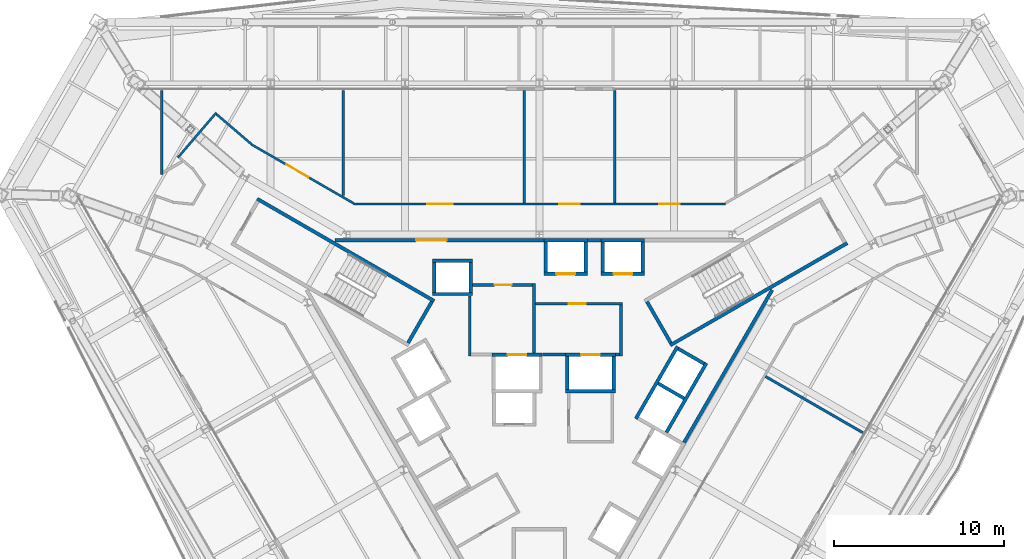
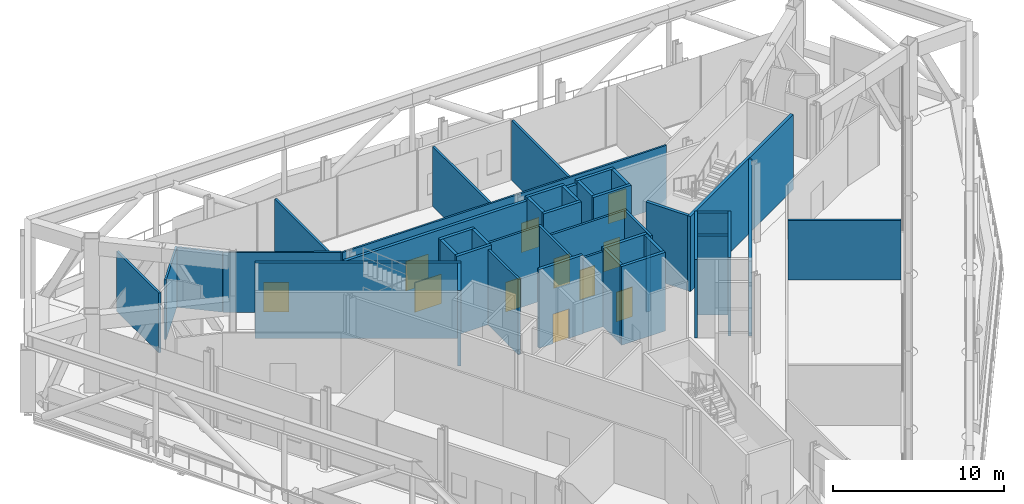
# One storey, part 18 of 26: 44 walls, 11 doors, 11 openings.
"""IFC4 building model written with IfcOpenShell, lengths in metres."""

from ifc_helpers import new_model, si_unit, direction, frame, frame_2d, origin, place, context, subcontext, project, spatial, rectangle, extrude, material, layer, layer_set, type_object, element, fill, save


model = new_model("IFC4")

# Units and contexts
model_context = context("Model", 3, precision=1e-05, world=origin(), true_north=direction((0.0, 1.0)))
body_context = subcontext(model_context, "Body", "Model", "MODEL_VIEW")
ifc_project = project(units=[si_unit("LENGTHUNIT", "METRE"), si_unit("AREAUNIT", "SQUARE_METRE"), si_unit("VOLUMEUNIT", "CUBIC_METRE"), si_unit("PLANEANGLEUNIT", "RADIAN"), si_unit("MASSUNIT", "GRAM", prefix="KILO")], contexts=[model_context])

# Site, building, storey
site_placement = place(None, origin())
site = spatial("IfcSite", under=ifc_project, at=site_placement, CompositionType="ELEMENT")
building_placement = place(site_placement, origin())
building = spatial("IfcBuilding", under=site, at=building_placement, Name="Verrane Prism Tower", CompositionType="ELEMENT")
storey_placement = place(building_placement, frame((0.0, 0.0, 87.199951171875)))
storey = spatial("IfcBuildingStorey", under=building, at=storey_placement, Name="L20", CompositionType="ELEMENT", Elevation=87.199951171875)

# Wall, opening, door
ifc_material_1 = material(Name="Gypsum board partition", Category="other")
ifc_layer_1 = layer(ifc_material_1, 0.199951171875)
ifc_layer_set_1 = layer_set([ifc_layer_1], Name="CW-200 core boundary wall 2 h")
wall_type_1 = type_object("IfcWallType", Name="CW-200 core boundary wall 2 h", PredefinedType="PARTITIONING", material=ifc_layer_set_1)
wall_1_placement = place(storey_placement, frame((0.262939453125, 8.860107421875, 0.0), z_axis=(0.0, 0.0, 1.0), x_axis=(-1.0, 0.0, 0.0)))
wall_1 = element("IfcWall", 1, at=wall_1_placement, inside=storey, type_object=wall_type_1, Name="Core boundary wall CW3-002", PredefinedType="PARTITIONING", context=body_context, shape_type="SweptSolid", body=[
    extrude(rectangle(XDim=12.25390625, YDim=0.199951171875, at=frame_2d((6.126953125, 0.0))), origin(), (0.0, 0.0, 1.0), 5.35009765625),
])
opening_1_placement = place(wall_1_placement, frame((5.708984375, 0.0, 0.0)))
opening_1 = element("IfcOpeningElement", 2, at=opening_1_placement, cuts=wall_1, Name="Opening D20511", PredefinedType="OPENING", context=body_context, shape_type="SweptSolid", body=[
    extrude(rectangle(XDim=1.800048828125, YDim=2.10009765625, at=frame_2d((0.89990234375, 1.050048828125))), frame((0.0, 0.10986328125, 0.0), z_axis=(0.0, -1.0, 0.0), x_axis=(1.0, 0.0, 0.0)), (0.0, 0.0, 1.0), 0.219970703125),
])
ifc_material_2 = material(Name="Timber veneered door leaf", Category="wood")
door_type_1 = type_object("IfcDoorType", Name="DR-1800x2100 FD60 double leaf lift lobby", OperationType="NOTDEFINED", PredefinedType="DOOR", material=ifc_material_2)
door_1_placement = place(opening_1_placement, origin())
door_1 = element("IfcDoor", 3, at=door_1_placement, inside=storey, type_object=door_type_1, Name="Lift lobby door D20511", OperationType="DOUBLE_DOOR_SINGLE_SWING", OverallHeight=2.10009765625, OverallWidth=1.800048828125, PredefinedType="DOOR", context=body_context, shape_type="SweptSolid", body=[
    extrude(rectangle(XDim=1.800048828125, YDim=2.10009765625, at=frame_2d((0.89990234375, 1.050048828125))), frame((0.0, 0.02490234375, 0.0), z_axis=(0.0, -1.0, 0.0), x_axis=(1.0, 0.0, 0.0)), (0.0, 0.0, 1.0), 0.050048828125),
])
fill(opening_1, door_1)

# Walls
wall_2_placement = place(storey_placement, frame((2.81689453125, 8.860107421875, 0.0), z_axis=(0.0, 0.0, 1.0), x_axis=(1.0, 0.0, 0.0)))
element("IfcWall", 4, at=wall_2_placement, inside=storey, type_object=wall_type_1, Name="Core boundary wall CW3-004", PredefinedType="PARTITIONING", context=body_context, shape_type="SweptSolid", body=[
    extrude(rectangle(XDim=0.80615234375, YDim=0.199951171875, at=frame_2d((0.403076171875, 0.0))), origin(), (0.0, 0.0, 1.0), 5.35009765625),
])
wall_3_placement = place(storey_placement, frame((8.491943359375, -3.011962890625, 0.0), z_axis=(0.0, 0.0, 1.0), x_axis=(0.499972957231, 0.866041016371, 0.0)))
element("IfcWall", 5, at=wall_3_placement, inside=storey, type_object=wall_type_1, Name="Core boundary wall CW3-007", PredefinedType="PARTITIONING", context=body_context, shape_type="SweptSolid", body=[
    extrude(rectangle(XDim=10.3486328125, YDim=0.199951171875, at=frame_2d((5.17431640625, 0.0))), origin(), (0.0, 0.0, 1.0), 5.35009765625),
])
ifc_material_3 = material(Name="Concrete C40/50", Category="concrete")
ifc_layer_2 = layer(ifc_material_3, 0.199951171875)
ifc_layer_set_2 = layer_set([ifc_layer_2], Name="CW-200 stair core wall concrete C40/50 3 h")
wall_type_2 = type_object("IfcWallType", Name="CW-200 stair core wall concrete C40/50 3 h", PredefinedType="PARTITIONING", material=ifc_layer_set_2)
wall_4_placement = place(storey_placement, frame((7.67822265625, 2.700927734375, 0.0), z_axis=(0.0, 0.0, 1.0), x_axis=(0.866026010844, 0.49999894854, 0.0)))
element("IfcWall", 6, at=wall_4_placement, inside=storey, type_object=wall_type_2, Name="Stair 1 enclosure wall", PredefinedType="PARTITIONING", context=body_context, shape_type="SweptSolid", body=[
    extrude(rectangle(XDim=12.0, YDim=0.199951171875, at=frame_2d((6.0, 0.0))), origin(), (0.0, 0.0, 1.0), 5.35009765625),
])
wall_5_placement = place(storey_placement, frame((7.71484375, 2.837646484375, 0.0), z_axis=(0.0, 0.0, 1.0), x_axis=(-0.500049511043, 0.865996816683, 0.0)))
element("IfcWall", 7, at=wall_5_placement, inside=storey, type_object=wall_type_2, Name="Stair 1 enclosure wall", PredefinedType="PARTITIONING", context=body_context, shape_type="SweptSolid", body=[
    extrude(rectangle(XDim=2.800048828125, YDim=0.199951171875, at=frame_2d((1.39990234375, 0.0))), origin(), (0.0, 0.0, 1.0), 5.35009765625),
])
wall_6_placement = place(storey_placement, frame((-6.17822265625, 5.299072265625, 0.0), z_axis=(0.0, 0.0, 1.0), x_axis=(-0.866026010844, 0.49999894854, 0.0)))
element("IfcWall", 8, at=wall_6_placement, inside=storey, type_object=wall_type_2, Name="Stair 2 enclosure wall", PredefinedType="PARTITIONING", context=body_context, shape_type="SweptSolid", body=[
    extrude(rectangle(XDim=12.0, YDim=0.199951171875, at=frame_2d((6.0, 0.0))), origin(), (0.0, 0.0, 1.0), 5.35009765625),
])
wall_7_placement = place(storey_placement, frame((-6.314697265625, 5.262451171875, 0.0), z_axis=(0.0, 0.0, 1.0), x_axis=(-0.500049511043, -0.865996816683, 0.0)))
element("IfcWall", 9, at=wall_7_placement, inside=storey, type_object=wall_type_2, Name="Stair 2 enclosure wall", PredefinedType="PARTITIONING", context=body_context, shape_type="SweptSolid", body=[
    extrude(rectangle(XDim=2.800048828125, YDim=0.199951171875, at=frame_2d((1.39990234375, 0.0))), origin(), (0.0, 0.0, 1.0), 5.35009765625),
])
ifc_material_4 = material(Name="Gypsum board shaft wall assembly", Category="other")
ifc_layer_3 = layer(ifc_material_4, 0.199951171875)
ifc_layer_set_3 = layer_set([ifc_layer_3], Name="HW-200 lift shaft wall 2 h")
wall_type_3 = type_object("IfcWallType", Name="HW-200 lift shaft wall 2 h", PredefinedType="PARTITIONING", material=ifc_layer_set_3)
wall_8_placement = place(storey_placement, frame((1.52490234375, 0.0, 0.0), z_axis=(0.0, 0.0, 1.0), x_axis=(1.0, 0.0, 0.0)))
element("IfcWall", 10, at=wall_8_placement, inside=storey, type_object=wall_type_3, Name="Lift shaft wall", PredefinedType="PARTITIONING", context=body_context, shape_type="SweptSolid", body=[
    extrude(rectangle(XDim=2.9501953125, YDim=0.199951171875, at=frame_2d((1.47509765625, 0.0))), origin(), (0.0, 0.0, 1.0), 5.60009765625),
])

# Wall, opening, door
wall_9_placement = place(storey_placement, frame((-2.784912109375, 2.14990234375, 0.0), z_axis=(0.0, 0.0, 1.0), x_axis=(1.0, 0.0, 0.0)))
wall_9 = element("IfcWall", 11, at=wall_9_placement, inside=storey, type_object=wall_type_3, Name="Lift shaft wall", PredefinedType="PARTITIONING", context=body_context, shape_type="SweptSolid", body=[
    extrude(rectangle(XDim=2.949951171875, YDim=0.199951171875, at=frame_2d((1.47509765625, 0.0))), origin(), (0.0, 0.0, 1.0), 5.60009765625),
])
opening_2_placement = place(wall_9_placement, frame((0.925048828125, 0.0, 0.0)))
opening_2 = element("IfcOpeningElement", 12, at=opening_2_placement, cuts=wall_9, Name="Opening D20508", PredefinedType="OPENING", context=body_context, shape_type="SweptSolid", body=[
    extrude(rectangle(XDim=1.10009765625, YDim=2.10009765625, at=frame_2d((0.550048828125, 1.050048828125))), frame((0.0, 0.10986328125, 0.0), z_axis=(0.0, -1.0, 0.0), x_axis=(1.0, 0.0, 0.0)), (0.0, 0.0, 1.0), 0.219970703125),
])
ifc_material_5 = material(Name="Stainless steel sliding landing door", Category="steel")
door_type_2 = type_object("IfcDoorType", Name="LD-1100x2100 lift landing door FD90 sliding", OperationType="NOTDEFINED", PredefinedType="DOOR", material=ifc_material_5)
door_2_placement = place(opening_2_placement, origin())
door_2 = element("IfcDoor", 13, at=door_2_placement, inside=storey, type_object=door_type_2, Name="Fire service lift 1 landing door", OperationType="SLIDING_TO_LEFT", OverallHeight=2.10009765625, OverallWidth=1.10009765625, PredefinedType="DOOR", context=body_context, shape_type="SweptSolid", body=[
    extrude(rectangle(XDim=1.10009765625, YDim=2.10009765625, at=frame_2d((0.550048828125, 1.050048828125))), frame((0.0, 0.02490234375, 0.0), z_axis=(0.0, -1.0, 0.0), x_axis=(1.0, 0.0, 0.0)), (0.0, 0.0, 1.0), 0.050048828125),
])
fill(opening_2, door_2)

wall_10_placement = place(storey_placement, frame((1.52490234375, 2.14990234375, 0.0), z_axis=(0.0, 0.0, 1.0), x_axis=(1.0, 0.0, 0.0)))
wall_10 = element("IfcWall", 14, at=wall_10_placement, inside=storey, type_object=wall_type_3, Name="Lift shaft wall", PredefinedType="PARTITIONING", context=body_context, shape_type="SweptSolid", body=[
    extrude(rectangle(XDim=2.9501953125, YDim=0.199951171875, at=frame_2d((1.47509765625, 0.0))), origin(), (0.0, 0.0, 1.0), 5.60009765625),
])
opening_3_placement = place(wall_10_placement, frame((0.925048828125, 0.0, 0.0)))
opening_3 = element("IfcOpeningElement", 15, at=opening_3_placement, cuts=wall_10, Name="Opening D20509", PredefinedType="OPENING", context=body_context, shape_type="SweptSolid", body=[
    extrude(rectangle(XDim=1.10009765625, YDim=2.10009765625, at=frame_2d((0.550048828125, 1.050048828125))), frame((0.0, 0.10986328125, 0.0), z_axis=(0.0, -1.0, 0.0), x_axis=(1.0, 0.0, 0.0)), (0.0, 0.0, 1.0), 0.219970703125),
])
door_3_placement = place(opening_3_placement, origin())
door_3 = element("IfcDoor", 16, at=door_3_placement, inside=storey, type_object=door_type_2, Name="Fire service lift 2 landing door", OperationType="SLIDING_TO_RIGHT", OverallHeight=2.10009765625, OverallWidth=1.10009765625, PredefinedType="DOOR", context=body_context, shape_type="SweptSolid", body=[
    extrude(rectangle(XDim=1.10009765625, YDim=2.10009765625, at=frame_2d((0.550048828125, 1.050048828125))), frame((0.0, 0.02490234375, 0.0), z_axis=(0.0, -1.0, 0.0), x_axis=(1.0, 0.0, 0.0)), (0.0, 0.0, 1.0), 0.050048828125),
])
fill(opening_3, door_3)

# Wall
wall_11_placement = place(storey_placement, frame((-6.284912109375, 5.7099609375, 0.0), z_axis=(0.0, 0.0, 1.0), x_axis=(1.0, 0.0, 0.0)))
element("IfcWall", 17, at=wall_11_placement, inside=storey, type_object=wall_type_3, Name="Lift shaft wall", PredefinedType="PARTITIONING", context=body_context, shape_type="SweptSolid", body=[
    extrude(rectangle(XDim=2.349853515625, YDim=0.199951171875, at=frame_2d((1.1748046875, 0.0))), origin(), (0.0, 0.0, 1.0), 5.60009765625),
])

# Wall, opening, door
wall_12_placement = place(storey_placement, frame((0.264892578125, 6.909912109375, 0.0), z_axis=(0.0, 0.0, 1.0), x_axis=(1.0, 0.0, 0.0)))
wall_12 = element("IfcWall", 18, at=wall_12_placement, inside=storey, type_object=wall_type_3, Name="Lift shaft wall", PredefinedType="PARTITIONING", context=body_context, shape_type="SweptSolid", body=[
    extrude(rectangle(XDim=2.550048828125, YDim=0.199951171875, at=frame_2d((1.27490234375, 0.0))), origin(), (0.0, 0.0, 1.0), 5.60009765625),
])
opening_4_placement = place(wall_12_placement, frame((0.72509765625, 0.0, 0.0)))
opening_4 = element("IfcOpeningElement", 19, at=opening_4_placement, cuts=wall_12, Name="Opening D20503", PredefinedType="OPENING", context=body_context, shape_type="SweptSolid", body=[
    extrude(rectangle(XDim=1.10009765625, YDim=2.10009765625, at=frame_2d((0.550048828125, 1.050048828125))), frame((0.0, 0.10986328125, 0.0), z_axis=(0.0, -1.0, 0.0), x_axis=(1.0, 0.0, 0.0)), (0.0, 0.0, 1.0), 0.219970703125),
])
door_4_placement = place(opening_4_placement, origin())
door_4 = element("IfcDoor", 20, at=door_4_placement, inside=storey, type_object=door_type_2, Name="Bank A lift 1 landing door", OperationType="SLIDING_TO_LEFT", OverallHeight=2.10009765625, OverallWidth=1.10009765625, PredefinedType="DOOR", context=body_context, shape_type="SweptSolid", body=[
    extrude(rectangle(XDim=1.10009765625, YDim=2.10009765625, at=frame_2d((0.550048828125, 1.050048828125))), frame((0.0, 0.02490234375, 0.0), z_axis=(0.0, -1.0, 0.0), x_axis=(1.0, 0.0, 0.0)), (0.0, 0.0, 1.0), 0.050048828125),
])
fill(opening_4, door_4)

wall_13_placement = place(storey_placement, frame((3.625, 6.909912109375, 0.0), z_axis=(0.0, 0.0, 1.0), x_axis=(1.0, 0.0, 0.0)))
wall_13 = element("IfcWall", 21, at=wall_13_placement, inside=storey, type_object=wall_type_3, Name="Lift shaft wall", PredefinedType="PARTITIONING", context=body_context, shape_type="SweptSolid", body=[
    extrude(rectangle(XDim=2.550048828125, YDim=0.199951171875, at=frame_2d((1.27490234375, 0.0))), origin(), (0.0, 0.0, 1.0), 5.60009765625),
])
opening_5_placement = place(wall_13_placement, frame((0.72509765625, 0.0, 0.0)))
opening_5 = element("IfcOpeningElement", 22, at=opening_5_placement, cuts=wall_13, Name="Opening D20505", PredefinedType="OPENING", context=body_context, shape_type="SweptSolid", body=[
    extrude(rectangle(XDim=1.10009765625, YDim=2.10009765625, at=frame_2d((0.550048828125, 1.050048828125))), frame((0.0, 0.10986328125, 0.0), z_axis=(0.0, -1.0, 0.0), x_axis=(1.0, 0.0, 0.0)), (0.0, 0.0, 1.0), 0.219970703125),
])
door_5_placement = place(opening_5_placement, origin())
door_5 = element("IfcDoor", 23, at=door_5_placement, inside=storey, type_object=door_type_2, Name="Bank A lift 3 landing door", OperationType="SLIDING_TO_LEFT", OverallHeight=2.10009765625, OverallWidth=1.10009765625, PredefinedType="DOOR", context=body_context, shape_type="SweptSolid", body=[
    extrude(rectangle(XDim=1.10009765625, YDim=2.10009765625, at=frame_2d((0.550048828125, 1.050048828125))), frame((0.0, 0.02490234375, 0.0), z_axis=(0.0, -1.0, 0.0), x_axis=(1.0, 0.0, 0.0)), (0.0, 0.0, 1.0), 0.050048828125),
])
fill(opening_5, door_5)

# Walls
wall_14_placement = place(storey_placement, frame((-6.284912109375, 7.659912109375, 0.0), z_axis=(0.0, 0.0, 1.0), x_axis=(1.0, 0.0, 0.0)))
element("IfcWall", 24, at=wall_14_placement, inside=storey, type_object=wall_type_3, Name="Lift shaft wall", PredefinedType="PARTITIONING", context=body_context, shape_type="SweptSolid", body=[
    extrude(rectangle(XDim=2.349853515625, YDim=0.199951171875, at=frame_2d((1.1748046875, 0.0))), origin(), (0.0, 0.0, 1.0), 5.60009765625),
])
for number, where, z_axis, x_axis, name in (
    (25, (0.264892578125, 8.860107421875, 0.0), (0.0, 0.0, 1.0), (1.0, 0.0, 0.0), "Lift shaft wall"),
    (26, (3.625, 8.860107421875, 0.0), (0.0, 0.0, 1.0), (1.0, 0.0, 0.0), "Lift shaft wall"),
):
    element("IfcWall", number, at=place(storey_placement, frame(where, z_axis=z_axis, x_axis=x_axis)), inside=storey, type_object=wall_type_3, Name=name, PredefinedType="PARTITIONING", context=body_context, shape_type="SweptSolid", body=[
        extrude(rectangle(XDim=2.550048828125, YDim=0.199951171875, at=frame_2d((1.27490234375, 0.0))), origin(), (0.0, 0.0, 1.0), 5.60009765625),
    ])
wall_15_placement = place(storey_placement, frame((7.451171875, -2.4140625, 0.0), z_axis=(0.0, 0.0, 1.0), x_axis=(0.500016218704, 0.866016039709, 0.0)))
element("IfcWall", 27, at=wall_15_placement, inside=storey, type_object=wall_type_3, Name="Lift shaft wall", PredefinedType="PARTITIONING", context=body_context, shape_type="SweptSolid", body=[
    extrude(rectangle(XDim=4.699951171875, YDim=0.199951171875, at=frame_2d((2.35009765625, 0.0))), origin(), (0.0, 0.0, 1.0), 5.60009765625),
])
wall_16_placement = place(storey_placement, frame((5.66259765625, -1.6123046875, 0.0), z_axis=(0.0, 0.0, 1.0), x_axis=(0.49998122708, 0.866036242063, 0.0)))
element("IfcWall", 28, at=wall_16_placement, inside=storey, type_object=wall_type_3, Name="Lift shaft wall", PredefinedType="PARTITIONING", context=body_context, shape_type="SweptSolid", body=[
    extrude(rectangle(XDim=4.900146484375, YDim=0.199951171875, at=frame_2d((2.4501953125, 0.0))), origin(), (0.0, 0.0, 1.0), 5.60009765625),
])
wall_17_placement = place(storey_placement, frame((6.074951171875, 7.010009765625, 0.0), z_axis=(0.0, 0.0, 1.0), x_axis=(0.0, 1.0, 0.0)))
element("IfcWall", 29, at=wall_17_placement, inside=storey, type_object=wall_type_3, Name="Lift shaft wall", PredefinedType="PARTITIONING", context=body_context, shape_type="SweptSolid", body=[
    extrude(rectangle(XDim=1.75, YDim=0.199951171875, at=frame_2d((0.875, 0.0))), origin(), (0.0, 0.0, 1.0), 5.60009765625),
])
wall_18_placement = place(storey_placement, frame((4.375, 0.10009765625, 0.0), z_axis=(0.0, 0.0, 1.0), x_axis=(0.0, 1.0, 0.0)))
element("IfcWall", 30, at=wall_18_placement, inside=storey, type_object=wall_type_3, Name="Lift shaft wall", PredefinedType="PARTITIONING", context=body_context, shape_type="SweptSolid", body=[
    extrude(rectangle(XDim=1.949951171875, YDim=0.199951171875, at=frame_2d((0.97509765625, 0.0))), origin(), (0.0, 0.0, 1.0), 5.60009765625),
])
for number, where, z_axis, x_axis, name in (
    (31, (3.72509765625, 7.010009765625, 0.0), (0.0, 0.0, 1.0), (0.0, 1.0, 0.0), "Lift shaft wall"),
    (32, (2.715087890625, 7.010009765625, 0.0), (0.0, 0.0, 1.0), (0.0, 1.0, 0.0), "Lift shaft wall"),
):
    element("IfcWall", number, at=place(storey_placement, frame(where, z_axis=z_axis, x_axis=x_axis)), inside=storey, type_object=wall_type_3, Name=name, PredefinedType="PARTITIONING", context=body_context, shape_type="SweptSolid", body=[
        extrude(rectangle(XDim=1.75, YDim=0.199951171875, at=frame_2d((0.875, 0.0))), origin(), (0.0, 0.0, 1.0), 5.60009765625),
    ])
wall_19_placement = place(storey_placement, frame((1.625, 0.10009765625, 0.0), z_axis=(0.0, 0.0, 1.0), x_axis=(0.0, 1.0, 0.0)))
element("IfcWall", 33, at=wall_19_placement, inside=storey, type_object=wall_type_3, Name="Lift shaft wall", PredefinedType="PARTITIONING", context=body_context, shape_type="SweptSolid", body=[
    extrude(rectangle(XDim=1.949951171875, YDim=0.199951171875, at=frame_2d((0.97509765625, 0.0))), origin(), (0.0, 0.0, 1.0), 5.60009765625),
])
for number, where, z_axis, x_axis, name in (
    (34, (0.364990234375, 7.010009765625, 0.0), (0.0, 0.0, 1.0), (0.0, 1.0, 0.0), "Lift shaft wall"),
    (35, (-4.034912109375, 5.81005859375, 0.0), (0.0, 0.0, 1.0), (0.0, 1.0, 0.0), "Lift shaft wall"),
    (36, (-6.18505859375, 5.81005859375, 0.0), (0.0, 0.0, 1.0), (0.0, 1.0, 0.0), "Lift shaft wall"),
):
    element("IfcWall", number, at=place(storey_placement, frame(where, z_axis=z_axis, x_axis=x_axis)), inside=storey, type_object=wall_type_3, Name=name, PredefinedType="PARTITIONING", context=body_context, shape_type="SweptSolid", body=[
        extrude(rectangle(XDim=1.75, YDim=0.199951171875, at=frame_2d((0.875, 0.0))), origin(), (0.0, 0.0, 1.0), 5.60009765625),
    ])
wall_20_placement = place(storey_placement, frame((9.66455078125, 1.61962890625, 0.0), z_axis=(0.0, 0.0, 1.0), x_axis=(-0.866002029911, 0.500040482552, 0.0)))
element("IfcWall", 37, at=wall_20_placement, inside=storey, type_object=wall_type_3, Name="Lift shaft wall", PredefinedType="PARTITIONING", context=body_context, shape_type="SweptSolid", body=[
    extrude(rectangle(XDim=1.749755859375, YDim=0.199951171875, at=frame_2d((0.875, 0.0))), origin(), (0.0, 0.0, 1.0), 5.60009765625),
])
wall_21_placement = place(storey_placement, frame((8.48974609375, -0.41552734375, 0.0), z_axis=(0.0, 0.0, 1.0), x_axis=(-0.866036909293, 0.499980071345, 0.0)))
element("IfcWall", 38, at=wall_21_placement, inside=storey, type_object=wall_type_3, Name="Lift shaft wall", PredefinedType="PARTITIONING", context=body_context, shape_type="SweptSolid", body=[
    extrude(rectangle(XDim=1.75, YDim=0.199951171875, at=frame_2d((0.875, 0.0))), origin(), (0.0, 0.0, 1.0), 5.60009765625),
])
ifc_material_6 = material(Name="Gypsum board partition", Category="other")
ifc_layer_4 = layer(ifc_material_6, 0.14990234375)
ifc_layer_set_4 = layer_set([ifc_layer_4], Name="LF-150 firefighting lobby wall 1 h")
wall_type_4 = type_object("IfcWallType", Name="LF-150 firefighting lobby wall 1 h", PredefinedType="PARTITIONING", material=ifc_layer_set_4)
wall_22_placement = place(storey_placement, frame((-4.10009765625, 2.0849609375, 0.0), z_axis=(0.0, 0.0, 1.0), x_axis=(0.0, 1.0, 0.0)))
element("IfcWall", 39, at=wall_22_placement, inside=storey, type_object=wall_type_4, Name="Firefighting lobby wall LF1-001", PredefinedType="PARTITIONING", context=body_context, shape_type="SweptSolid", body=[
    extrude(rectangle(XDim=3.52294921875, YDim=0.14990234375, at=frame_2d((1.761474609375, 0.0))), origin(), (0.0, 0.0, 1.0), 5.35009765625),
])

# Wall, opening, door
wall_23_placement = place(storey_placement, frame((-3.93310546875, 6.239990234375, 0.0), z_axis=(0.0, 0.0, 1.0), x_axis=(1.0, 0.0, 0.0)))
wall_23 = element("IfcWall", 40, at=wall_23_placement, inside=storey, type_object=wall_type_4, Name="Firefighting lobby wall LF1-003", PredefinedType="PARTITIONING", context=body_context, shape_type="SweptSolid", body=[
    extrude(rectangle(XDim=3.5380859375, YDim=0.14990234375, at=frame_2d((1.76904296875, 0.0))), origin(), (0.0, 0.0, 1.0), 5.35009765625),
])
opening_6_placement = place(wall_23_placement, frame((1.300048828125, 0.0, 0.0)))
opening_6 = element("IfcOpeningElement", 41, at=opening_6_placement, cuts=wall_23, Name="Opening D20515", PredefinedType="OPENING", context=body_context, shape_type="SweptSolid", body=[
    extrude(rectangle(XDim=1.0, YDim=2.10009765625, at=frame_2d((0.5, 1.050048828125))), frame((0.0, 0.0849609375, 0.0), z_axis=(0.0, -1.0, 0.0), x_axis=(1.0, 0.0, 0.0)), (0.0, 0.0, 1.0), 0.169921875),
])
ifc_material_7 = material(Name="Timber veneered door leaf", Category="wood")
door_type_3 = type_object("IfcDoorType", Name="DR-1000x2100 FD60 single leaf firefighting lobby", OperationType="NOTDEFINED", PredefinedType="DOOR", material=ifc_material_7)
door_6_placement = place(opening_6_placement, origin())
door_6 = element("IfcDoor", 42, at=door_6_placement, inside=storey, type_object=door_type_3, Name="Firefighting lobby door D20515", OperationType="SINGLE_SWING_LEFT", OverallHeight=2.10009765625, OverallWidth=1.0, PredefinedType="DOOR", context=body_context, shape_type="SweptSolid", body=[
    extrude(rectangle(XDim=1.0, YDim=2.10009765625, at=frame_2d((0.5, 1.050048828125))), frame((0.0, 0.02490234375, 0.0), z_axis=(0.0, -1.0, 0.0), x_axis=(1.0, 0.0, 0.0)), (0.0, 0.0, 1.0), 0.050048828125),
])
fill(opening_6, door_6)

# Wall
wall_24_placement = place(storey_placement, frame((-0.320068359375, 2.251953125, 0.0), z_axis=(0.0, 0.0, 1.0), x_axis=(0.0, 1.0, 0.0)))
element("IfcWall", 43, at=wall_24_placement, inside=storey, type_object=wall_type_4, Name="Firefighting lobby wall LF1-004", PredefinedType="PARTITIONING", context=body_context, shape_type="SweptSolid", body=[
    extrude(rectangle(XDim=4.06298828125, YDim=0.14990234375, at=frame_2d((2.031494140625, 0.0))), origin(), (0.0, 0.0, 1.0), 5.35009765625),
])

# Wall, opening, door
wall_25_placement = place(storey_placement, frame((-0.2451171875, 5.139892578125, 0.0), z_axis=(0.0, 0.0, 1.0), x_axis=(1.0, 0.0, 0.0)))
wall_25 = element("IfcWall", 44, at=wall_25_placement, inside=storey, type_object=wall_type_4, Name="Firefighting lobby wall LF1-005", PredefinedType="PARTITIONING", context=body_context, shape_type="SweptSolid", body=[
    extrude(rectangle(XDim=5.110107421875, YDim=0.14990234375, at=frame_2d((2.55517578125, 0.0))), origin(), (0.0, 0.0, 1.0), 5.35009765625),
])
opening_7_placement = place(wall_25_placement, frame((1.97509765625, 0.0, 0.0)))
opening_7 = element("IfcOpeningElement", 45, at=opening_7_placement, cuts=wall_25, Name="Opening D20516", PredefinedType="OPENING", context=body_context, shape_type="SweptSolid", body=[
    extrude(rectangle(XDim=1.0, YDim=2.10009765625, at=frame_2d((0.5, 1.050048828125))), frame((0.0, 0.0849609375, 0.0), z_axis=(0.0, -1.0, 0.0), x_axis=(1.0, 0.0, 0.0)), (0.0, 0.0, 1.0), 0.169921875),
])
door_7_placement = place(opening_7_placement, origin())
door_7 = element("IfcDoor", 46, at=door_7_placement, inside=storey, type_object=door_type_3, Name="Firefighting lobby door D20516", OperationType="SINGLE_SWING_RIGHT", OverallHeight=2.10009765625, OverallWidth=1.0, PredefinedType="DOOR", context=body_context, shape_type="SweptSolid", body=[
    extrude(rectangle(XDim=1.0, YDim=2.10009765625, at=frame_2d((0.5, 1.050048828125))), frame((0.0, 0.02490234375, 0.0), z_axis=(0.0, -1.0, 0.0), x_axis=(1.0, 0.0, 0.0)), (0.0, 0.0, 1.0), 0.050048828125),
])
fill(opening_7, door_7)

# Walls
wall_26_placement = place(storey_placement, frame((0.1669921875, 2.159912109375, 0.0), z_axis=(0.0, 0.0, 1.0), x_axis=(1.0, 0.0, 0.0)))
element("IfcWall", 47, at=wall_26_placement, inside=storey, type_object=wall_type_4, Name="Firefighting lobby wall LF1-006", PredefinedType="PARTITIONING", context=body_context, shape_type="SweptSolid", body=[
    extrude(rectangle(XDim=1.35595703125, YDim=0.14990234375, at=frame_2d((0.677978515625, 0.0))), origin(), (0.0, 0.0, 1.0), 5.35009765625),
])
wall_27_placement = place(storey_placement, frame((4.47705078125, 2.159912109375, 0.0), z_axis=(0.0, 0.0, 1.0), x_axis=(1.0, 0.0, 0.0)))
element("IfcWall", 48, at=wall_27_placement, inside=storey, type_object=wall_type_4, Name="Firefighting lobby wall LF1-007", PredefinedType="PARTITIONING", context=body_context, shape_type="SweptSolid", body=[
    extrude(rectangle(XDim=0.238037109375, YDim=0.14990234375, at=frame_2d((0.119140625, 0.0))), origin(), (0.0, 0.0, 1.0), 5.35009765625),
])
wall_28_placement = place(storey_placement, frame((4.7900390625, 2.0849609375, 0.0), z_axis=(0.0, 0.0, 1.0), x_axis=(0.0, 1.0, 0.0)))
element("IfcWall", 49, at=wall_28_placement, inside=storey, type_object=wall_type_4, Name="Firefighting lobby wall LF1-008", PredefinedType="PARTITIONING", context=body_context, shape_type="SweptSolid", body=[
    extrude(rectangle(XDim=2.97998046875, YDim=0.14990234375, at=frame_2d((1.489990234375, 0.0))), origin(), (0.0, 0.0, 1.0), 5.35009765625),
])
ifc_material_8 = material(Name="Gypsum board partition", Category="other")
ifc_layer_5 = layer(ifc_material_8, 0.125)
ifc_layer_set_5 = layer_set([ifc_layer_5], Name="PW-125 corridor wall 1 h")
wall_type_5 = type_object("IfcWallType", Name="PW-125 corridor wall 1 h", PredefinedType="PARTITIONING", material=ifc_layer_set_5)
wall_29_placement = place(storey_placement, frame((-21.228759765625, 13.719482421875, 0.0), z_axis=(0.0, 0.0, 1.0), x_axis=(0.650692980458, 0.759340928162, 0.0)))
element("IfcWall", 50, at=wall_29_placement, inside=storey, type_object=wall_type_5, Name="Corridor wall 008", PredefinedType="PARTITIONING", context=body_context, shape_type="SweptSolid", body=[
    extrude(rectangle(XDim=3.473876953125, YDim=0.125, at=frame_2d((1.73681640625, 0.0))), origin(), (0.0, 0.0, 1.0), 4.261962890625),
])
wall_30_placement = place(storey_placement, frame((-18.959716796875, 16.267578125, 0.0), z_axis=(0.0, 0.0, 1.0), x_axis=(0.759180150355, -0.650880556866, 0.0)))
element("IfcWall", 51, at=wall_30_placement, inside=storey, type_object=wall_type_5, Name="Corridor wall 012", PredefinedType="PARTITIONING", context=body_context, shape_type="SweptSolid", body=[
    extrude(rectangle(XDim=2.705078125, YDim=0.125, at=frame_2d((1.3525390625, 0.0))), origin(), (0.0, 0.0, 1.0), 4.261962890625),
])

# Wall, opening, door
wall_31_placement = place(storey_placement, frame((-16.903076171875, 14.4892578125, 0.0), z_axis=(0.0, 0.0, 1.0), x_axis=(0.866404548649, -0.499342726071, 0.0)))
wall_31 = element("IfcWall", 52, at=wall_31_placement, inside=storey, type_object=wall_type_5, Name="Corridor wall 014", PredefinedType="PARTITIONING", context=body_context, shape_type="SweptSolid", body=[
    extrude(rectangle(XDim=6.902587890625, YDim=0.125, at=frame_2d((3.451171875, 0.0))), origin(), (0.0, 0.0, 1.0), 4.261962890625),
])
opening_8_placement = place(wall_31_placement, frame((2.362548828125, 0.0, 0.0)))
opening_8 = element("IfcOpeningElement", 53, at=opening_8_placement, cuts=wall_31, Name="Opening D20005", PredefinedType="OPENING", context=body_context, shape_type="SweptSolid", body=[
    extrude(rectangle(XDim=1.5, YDim=2.10009765625, at=frame_2d((0.75, 1.050048828125))), frame((0.0, 0.072509765625, 0.0), z_axis=(0.0, -1.0, 0.0), x_axis=(1.0, 0.0, 0.0)), (0.0, 0.0, 1.0), 0.14501953125),
])
ifc_material_9 = material(Name="Timber veneered door leaf", Category="wood")
door_type_4 = type_object("IfcDoorType", Name="DR-1500x2100 FD60 double leaf unit", OperationType="NOTDEFINED", PredefinedType="DOOR", material=ifc_material_9)
door_8_placement = place(opening_8_placement, origin())
door_8 = element("IfcDoor", 54, at=door_8_placement, inside=storey, type_object=door_type_4, Name="Mechanical Plant Room door", OperationType="DOUBLE_DOOR_SINGLE_SWING", OverallHeight=2.10009765625, OverallWidth=1.5, PredefinedType="DOOR", context=body_context, shape_type="SweptSolid", body=[
    extrude(rectangle(XDim=1.5, YDim=2.10009765625, at=frame_2d((0.75, 1.050048828125))), frame((0.0, 0.02490234375, 0.0), z_axis=(0.0, -1.0, 0.0), x_axis=(1.0, 0.0, 0.0)), (0.0, 0.0, 1.0), 0.050048828125),
])
fill(opening_8, door_8)

# Wall, openings, doors
wall_32_placement = place(storey_placement, frame((-10.91162109375, 11.0, 0.0), z_axis=(0.0, 0.0, 1.0), x_axis=(1.0, 0.0, 0.0)))
wall_32 = element("IfcWall", 55, at=wall_32_placement, inside=storey, type_object=wall_type_5, Name="Corridor wall 018", PredefinedType="PARTITIONING", context=body_context, shape_type="SweptSolid", body=[
    extrude(rectangle(XDim=21.8232421875, YDim=0.125, at=frame_2d((10.91162109375, 0.0))), origin(), (0.0, 0.0, 1.0), 4.261962890625),
])
opening_9_placement = place(wall_32_placement, frame((17.945556640625, 0.0, 0.0)))
opening_9 = element("IfcOpeningElement", 56, at=opening_9_placement, cuts=wall_32, Name="Opening D20002", PredefinedType="OPENING", context=body_context, shape_type="SweptSolid", body=[
    extrude(rectangle(XDim=1.199951171875, YDim=2.10009765625, at=frame_2d((0.60009765625, 1.050048828125))), frame((0.0, 0.072509765625, 0.0), z_axis=(0.0, -1.0, 0.0), x_axis=(1.0, 0.0, 0.0)), (0.0, 0.0, 1.0), 0.14501953125),
])
opening_10_placement = place(wall_32_placement, frame((12.074462890625, 0.0, 0.0)))
opening_10 = element("IfcOpeningElement", 57, at=opening_10_placement, cuts=wall_32, Name="Opening D20003", PredefinedType="OPENING", context=body_context, shape_type="SweptSolid", body=[
    extrude(rectangle(XDim=1.199951171875, YDim=2.10009765625, at=frame_2d((0.60009765625, 1.050048828125))), frame((0.0, 0.072509765625, 0.0), z_axis=(0.0, -1.0, 0.0), x_axis=(1.0, 0.0, 0.0)), (0.0, 0.0, 1.0), 0.14501953125),
])
opening_11_placement = place(wall_32_placement, frame((4.3125, 0.0, 0.0)))
opening_11 = element("IfcOpeningElement", 58, at=opening_11_placement, cuts=wall_32, Name="Opening D20004", PredefinedType="OPENING", context=body_context, shape_type="SweptSolid", body=[
    extrude(rectangle(XDim=1.5, YDim=2.10009765625, at=frame_2d((0.75, 1.050048828125))), frame((0.0, 0.072509765625, 0.0), z_axis=(0.0, -1.0, 0.0), x_axis=(1.0, 0.0, 0.0)), (0.0, 0.0, 1.0), 0.14501953125),
])
ifc_material_10 = material(Name="Timber veneered door leaf", Category="wood")
door_type_5 = type_object("IfcDoorType", Name="DR-1200x2100 FD60 single leaf unit", OperationType="NOTDEFINED", PredefinedType="DOOR", material=ifc_material_10)
door_9_placement = place(opening_9_placement, origin())
door_9 = element("IfcDoor", 59, at=door_9_placement, inside=storey, type_object=door_type_5, Name="Electrical Switch Room door", OperationType="SINGLE_SWING_RIGHT", OverallHeight=2.10009765625, OverallWidth=1.199951171875, PredefinedType="DOOR", context=body_context, shape_type="SweptSolid", body=[
    extrude(rectangle(XDim=1.199951171875, YDim=2.10009765625, at=frame_2d((0.60009765625, 1.050048828125))), frame((0.0, 0.02490234375, 0.0), z_axis=(0.0, -1.0, 0.0), x_axis=(1.0, 0.0, 0.0)), (0.0, 0.0, 1.0), 0.050048828125),
])
fill(opening_9, door_9)
door_10_placement = place(opening_10_placement, origin())
door_10 = element("IfcDoor", 60, at=door_10_placement, inside=storey, type_object=door_type_5, Name="Pump Room door", OperationType="SINGLE_SWING_LEFT", OverallHeight=2.10009765625, OverallWidth=1.199951171875, PredefinedType="DOOR", context=body_context, shape_type="SweptSolid", body=[
    extrude(rectangle(XDim=1.199951171875, YDim=2.10009765625, at=frame_2d((0.60009765625, 1.050048828125))), frame((0.0, 0.02490234375, 0.0), z_axis=(0.0, -1.0, 0.0), x_axis=(1.0, 0.0, 0.0)), (0.0, 0.0, 1.0), 0.050048828125),
])
fill(opening_10, door_10)
door_11_placement = place(opening_11_placement, origin())
door_11 = element("IfcDoor", 61, at=door_11_placement, inside=storey, type_object=door_type_4, Name="Mechanical Plant Room door", OperationType="DOUBLE_DOOR_SINGLE_SWING", OverallHeight=2.10009765625, OverallWidth=1.5, PredefinedType="DOOR", context=body_context, shape_type="SweptSolid", body=[
    extrude(rectangle(XDim=1.5, YDim=2.10009765625, at=frame_2d((0.75, 1.050048828125))), frame((0.0, 0.02490234375, 0.0), z_axis=(0.0, -1.0, 0.0), x_axis=(1.0, 0.0, 0.0)), (0.0, 0.0, 1.0), 0.050048828125),
])
fill(opening_11, door_11)

# Walls
ifc_material_11 = material(Name="Gypsum board partition", Category="other")
ifc_layer_6 = layer(ifc_material_11, 0.14990234375)
ifc_layer_set_6 = layer_set([ifc_layer_6], Name="PW-150 demising wall 1 h")
wall_type_6 = type_object("IfcWallType", Name="PW-150 demising wall 1 h", PredefinedType="PARTITIONING", material=ifc_layer_set_6)
wall_33_placement = place(storey_placement, frame((-22.16796875, 12.72412109375, 0.0), z_axis=(0.0, 0.0, 1.0), x_axis=(0.0, 1.0, 0.0)))
element("IfcWall", 62, at=wall_33_placement, inside=storey, type_object=wall_type_6, Name="Demising wall 004", PredefinedType="PARTITIONING", context=body_context, shape_type="SweptSolid", body=[
    extrude(rectangle(XDim=4.930908203125, YDim=0.14990234375, at=frame_2d((2.46533203125, 0.0))), origin(), (0.0, 0.0, 1.0), 4.261962890625),
])
wall_34_placement = place(storey_placement, frame((-11.527099609375, 11.50634765625, 0.0), z_axis=(0.0, 0.0, 1.0), x_axis=(0.0, 1.0, 0.0)))
element("IfcWall", 63, at=wall_34_placement, inside=storey, type_object=wall_type_6, Name="Demising wall 017", PredefinedType="PARTITIONING", context=body_context, shape_type="SweptSolid", body=[
    extrude(rectangle(XDim=6.148681640625, YDim=0.14990234375, at=frame_2d((3.07421875, 0.0))), origin(), (0.0, 0.0, 1.0), 4.261962890625),
])
for number, where, z_axis, x_axis, name in (
    (64, (-0.886962890625, 11.0625, 0.0), (0.0, 0.0, 1.0), (0.0, 1.0, 0.0), "Demising wall 026"),
    (65, (4.43408203125, 11.0625, 0.0), (0.0, 0.0, 1.0), (0.0, 1.0, 0.0), "Demising wall 034"),
):
    element("IfcWall", number, at=place(storey_placement, frame(where, z_axis=z_axis, x_axis=x_axis)), inside=storey, type_object=wall_type_6, Name=name, PredefinedType="PARTITIONING", context=body_context, shape_type="SweptSolid", body=[
        extrude(rectangle(XDim=6.592529296875, YDim=0.14990234375, at=frame_2d((3.29638671875, 0.0))), origin(), (0.0, 0.0, 1.0), 4.261962890625),
    ])
wall_35_placement = place(storey_placement, frame((13.272216796875, 0.86962890625, 0.0), z_axis=(0.0, 0.0, 1.0), x_axis=(0.866070944917, -0.499921112148, 0.0)))
element("IfcWall", 66, at=wall_35_placement, inside=storey, type_object=wall_type_6, Name="Demising wall 038", PredefinedType="PARTITIONING", context=body_context, shape_type="SweptSolid", body=[
    extrude(rectangle(XDim=6.595703125, YDim=0.14990234375, at=frame_2d((3.2978515625, 0.0))), origin(), (0.0, 0.0, 1.0), 4.261962890625),
])

save(model, "model.ifc")
